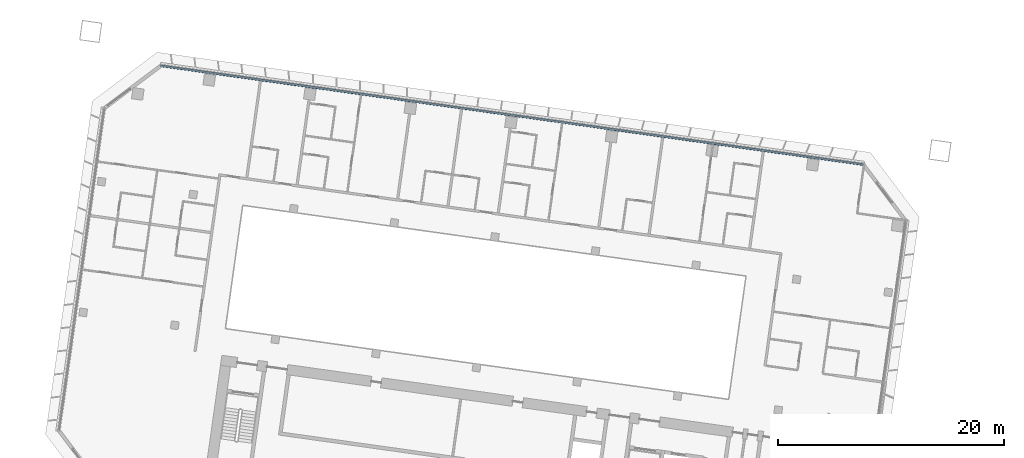
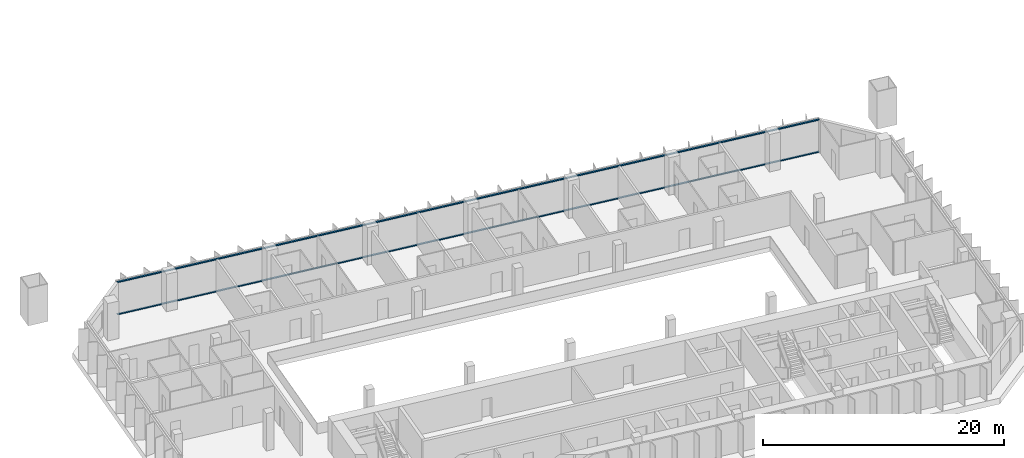
# One storey, part 4 of 25: 2 members, 1 element without a shape of its own.
"""IFC4 building model written with IfcOpenShell, lengths in metres."""

from ifc_helpers import new_model, si_unit, direction, frame, origin, origin_2d, place, context, subcontext, project, spatial, rectangle, extrude, material, material_profile, profile_set, type_object, element, aggregate, save


model = new_model("IFC4")

# Units and contexts
model_context = context("Model", 3, precision=1e-05, world=origin(), true_north=direction((0.0, 1.0)))
body_context = subcontext(model_context, "Body", "Model", "MODEL_VIEW")
ifc_project = project(units=[si_unit("LENGTHUNIT", "METRE"), si_unit("AREAUNIT", "SQUARE_METRE"), si_unit("VOLUMEUNIT", "CUBIC_METRE"), si_unit("PLANEANGLEUNIT", "RADIAN"), si_unit("MASSUNIT", "GRAM", prefix="KILO")], contexts=[model_context])

# Site, building, storey
site_placement = place(None, origin())
site = spatial("IfcSite", under=ifc_project, at=site_placement, CompositionType="ELEMENT")
building_placement = place(site_placement, origin())
building = spatial("IfcBuilding", under=site, at=building_placement, Name="Mirante Cascada Hotel Towers", CompositionType="ELEMENT")
storey_placement = place(building_placement, frame((0.0, 0.0, 54.7)))
storey = spatial("IfcBuildingStorey", under=building, at=storey_placement, Name="L10", CompositionType="ELEMENT", Elevation=54.7)

# Curtain wall, members
ifc_material_1 = material(Name="Aluminium mullion and transom frame with clear laminated glass", Category="aluminium")
curtain_wall_type = type_object("IfcCurtainWallType", Name="Ribbon curtain wall ECW1", PredefinedType="NOTDEFINED", material=ifc_material_1)
curtain_wall_placement = place(storey_placement, origin())
curtain_wall = element("IfcCurtainWall", 1, at=curtain_wall_placement, inside=storey, type_object=curtain_wall_type, Name="Front ribbon wall T1 L10", PredefinedType="NOTDEFINED")
ifc_material_2 = material(Name="Anodised aluminium extrusion", Category="aluminium")
ifc_material_profile = material_profile(ifc_material_2, rectangle(XDim=0.16, YDim=0.1, at=origin_2d()), Name="ECW1 TRANSOM 100x160")
ifc_profile_set = profile_set([ifc_material_profile], Name="Anodised aluminium extrusion")
member_type = type_object("IfcMemberType", Name="ECW1 transom 100x160", PredefinedType="USERDEFINED", material=ifc_profile_set)
member_1_placement = place(storey_placement, frame((-94.1582, 26.0521, 0.05), z_axis=(0.9902681, -0.1391728, 0.0), x_axis=(0.1391728, 0.9902681, 0.0)))
member_1 = element("IfcMember", 2, at=member_1_placement, type_object=member_type, Name="ECW1 sill transom", ObjectType="TRANSOM", PredefinedType="USERDEFINED", context=body_context, shape_type="SweptSolid", body=[
    extrude(rectangle(XDim=0.16, YDim=0.1, at=origin_2d()), origin(), (0.0, 0.0, 1.0), 62.8758),
])
member_2_placement = place(storey_placement, frame((-94.1582, 26.0521, 3.3), z_axis=(0.9902681, -0.1391728, 0.0), x_axis=(0.1391728, 0.9902681, 0.0)))
member_2 = element("IfcMember", 3, at=member_2_placement, type_object=member_type, Name="ECW1 head transom", ObjectType="TRANSOM", PredefinedType="USERDEFINED", context=body_context, shape_type="SweptSolid", body=[
    extrude(rectangle(XDim=0.16, YDim=0.1, at=origin_2d()), origin(), (0.0, 0.0, 1.0), 62.8758),
])
aggregate(curtain_wall, [member_1, member_2])

save(model, "model.ifc")
